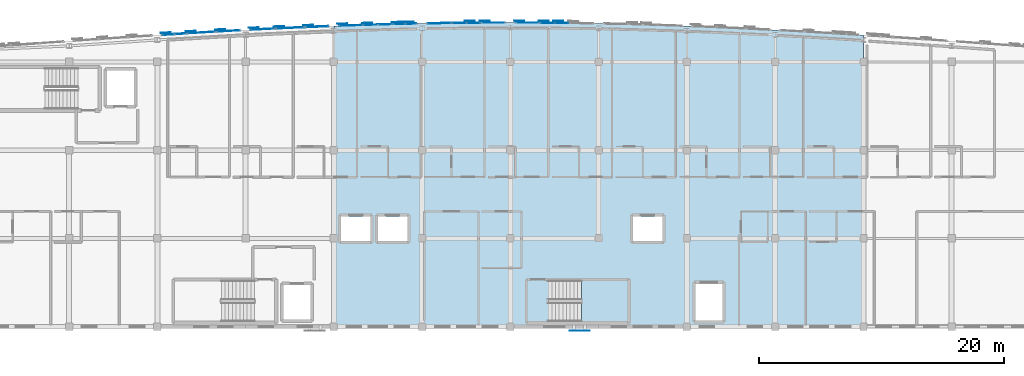
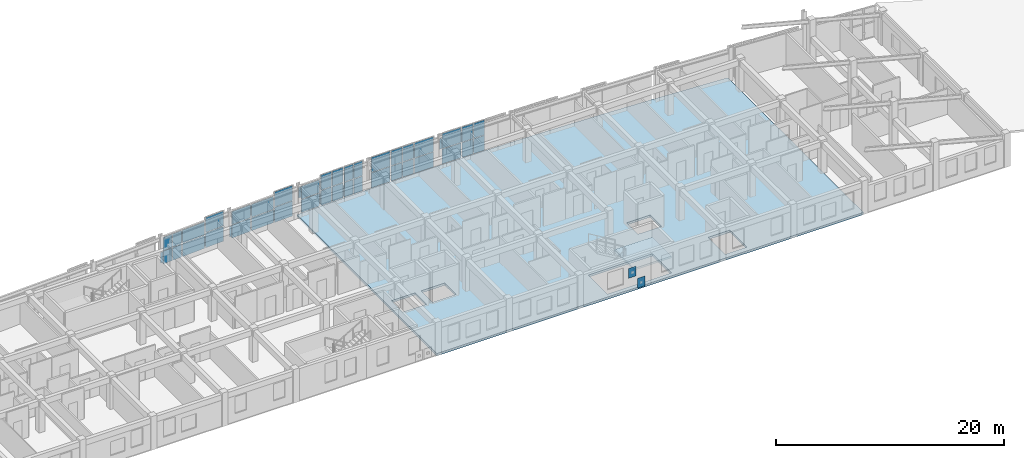
# One storey, part 27 of 41: 55 plates, 2 slabs, 15 elements without a shape of their own.
"""IFC4 building model written with IfcOpenShell, lengths in metres."""

from ifc_helpers import new_model, si_unit, direction, frame, origin, origin_2d, place, context, subcontext, project, spatial, polyline, rectangle, outline, extrude, material, layer, layer_set, type_object, element, aggregate, save


model = new_model("IFC4")

# Units and contexts
model_context = context("Model", 3, precision=1e-05, world=origin(), true_north=direction((0.0, 1.0)))
body_context = subcontext(model_context, "Body", "Model", "MODEL_VIEW")
ifc_project = project(units=[si_unit("LENGTHUNIT", "METRE"), si_unit("AREAUNIT", "SQUARE_METRE"), si_unit("VOLUMEUNIT", "CUBIC_METRE"), si_unit("PLANEANGLEUNIT", "RADIAN"), si_unit("MASSUNIT", "GRAM", prefix="KILO")], contexts=[model_context])

# Site, building, storey
site_placement = place(None, origin())
site = spatial("IfcSite", under=ifc_project, at=site_placement, CompositionType="ELEMENT")
building_placement = place(site_placement, origin())
building = spatial("IfcBuilding", under=site, at=building_placement, Name="Carrowvane Square Congress Hotel", CompositionType="ELEMENT")
storey_placement = place(building_placement, frame((0.0, 0.0, 37.199951171875)))
storey = spatial("IfcBuildingStorey", under=building, at=storey_placement, Name="L09", CompositionType="ELEMENT", Elevation=37.199951171875)

# Curtain wall, plates
ifc_material_1 = material(Name="Anodised aluminium", Category="aluminium")
ifc_layer_1 = layer(ifc_material_1, 0.162109375)
ifc_layer_set_1 = layer_set([ifc_layer_1], Name="Anodised aluminium")
curtain_wall_type_1 = type_object("IfcCurtainWallType", Name="CW-SYS-1", PredefinedType="NOTDEFINED", material=ifc_layer_set_1)
curtain_wall_1_placement = place(storey_placement, origin())
curtain_wall_1 = element("IfcCurtainWall", 1, at=curtain_wall_1_placement, inside=storey, type_object=curtain_wall_type_1, Name="L09 unitised curtain wall 520", PredefinedType="NOTDEFINED")
ifc_material_2 = material(Name="Double-glazed low-E glass", Category="glass")
ifc_layer_2 = layer(ifc_material_2, 0.028076171875)
ifc_layer_set_2 = layer_set([ifc_layer_2], Name="Double-glazed low-E glass")
plate_type_1 = type_object("IfcPlateType", Name="CW-PAN-1", PredefinedType="CURTAIN_PANEL", material=ifc_layer_set_2)
plate_1_placement = place(storey_placement, frame((72.800048828125, 115.795166015625, 0.06005859375), z_axis=(0.0, 0.0, 1.0), x_axis=(0.998266763162, 0.058851249486, 0.0)))
plate_1 = element("IfcPlate", 2, at=plate_1_placement, type_object=plate_type_1, Name="CW-1 panel 1.1", PredefinedType="CURTAIN_PANEL", context=body_context, shape_type="SweptSolid", body=[
    extrude(rectangle(XDim=2.2841796875, YDim=0.028076171875, at=origin_2d()), origin(), (0.0, 0.0, 1.0), 1.3876953125),
])
plate_2_placement = place(storey_placement, frame((72.800048828125, 115.795166015625, 1.5078125), z_axis=(0.0, 0.0, 1.0), x_axis=(0.998266763162, 0.058851249486, 0.0)))
plate_2 = element("IfcPlate", 3, at=plate_2_placement, type_object=plate_type_1, Name="CW-1 panel 1.2", PredefinedType="CURTAIN_PANEL", context=body_context, shape_type="SweptSolid", body=[
    extrude(rectangle(XDim=2.2841796875, YDim=0.028076171875, at=origin_2d()), origin(), (0.0, 0.0, 1.0), 1.3876953125),
])
aggregate(curtain_wall_1, [plate_1, plate_2])

ifc_material_3 = material(Name="Anodised aluminium", Category="aluminium")
ifc_layer_3 = layer(ifc_material_3, 0.221923828125)
ifc_layer_set_3 = layer_set([ifc_layer_3], Name="Anodised aluminium")
curtain_wall_type_2 = type_object("IfcCurtainWallType", Name="CW-SYS-6", PredefinedType="NOTDEFINED", material=ifc_layer_set_3)
curtain_wall_2_placement = place(storey_placement, origin())
curtain_wall_2 = element("IfcCurtainWall", 4, at=curtain_wall_2_placement, inside=storey, type_object=curtain_wall_type_2, Name="L09 unitised curtain wall 525", PredefinedType="NOTDEFINED")
plate_3_placement = place(storey_placement, frame((84.9853515625, 116.371826171875, 0.06982421875), z_axis=(0.0, 0.0, 1.0), x_axis=(0.999403774749, 0.034526729036, 0.0)))
plate_3 = element("IfcPlate", 5, at=plate_3_placement, type_object=plate_type_1, Name="CW-6 panel 1.1", PredefinedType="CURTAIN_PANEL", context=body_context, shape_type="SweptSolid", body=[
    extrude(rectangle(XDim=1.890625, YDim=0.028076171875, at=origin_2d()), origin(), (0.0, 0.0, 1.0), 1.372802734375),
])
plate_4_placement = place(storey_placement, frame((84.9853515625, 116.371826171875, 1.5126953125), z_axis=(0.0, 0.0, 1.0), x_axis=(0.999403774749, 0.034526729036, 0.0)))
plate_4 = element("IfcPlate", 6, at=plate_4_placement, type_object=plate_type_1, Name="CW-6 panel 1.2", PredefinedType="CURTAIN_PANEL", context=body_context, shape_type="SweptSolid", body=[
    extrude(rectangle(XDim=1.890625, YDim=0.028076171875, at=origin_2d()), origin(), (0.0, 0.0, 1.0), 1.372802734375),
])
aggregate(curtain_wall_2, [plate_3, plate_4])

ifc_material_4 = material(Name="Anodised aluminium", Category="aluminium")
ifc_layer_4 = layer(ifc_material_4, 0.18603515625)
ifc_layer_set_4 = layer_set([ifc_layer_4], Name="Anodised aluminium")
curtain_wall_type_3 = type_object("IfcCurtainWallType", Name="CW-SYS-3", PredefinedType="NOTDEFINED", material=ifc_layer_set_4)
curtain_wall_3_placement = place(storey_placement, origin())
curtain_wall_3 = element("IfcCurtainWall", 7, at=curtain_wall_3_placement, inside=storey, type_object=curtain_wall_type_3, Name="L09 unitised curtain wall 530", PredefinedType="NOTDEFINED")
plate_5_placement = place(storey_placement, frame((96.607666015625, 116.595458984375, 0.06005859375), z_axis=(0.0, 0.0, 1.0), x_axis=(0.999994652529, 0.003270307911, 0.0)))
plate_5 = element("IfcPlate", 8, at=plate_5_placement, type_object=plate_type_1, Name="CW-3 panel 1.1", PredefinedType="CURTAIN_PANEL", context=body_context, shape_type="SweptSolid", body=[
    extrude(rectangle(XDim=1.89501953125, YDim=0.028076171875, at=origin_2d()), origin(), (0.0, 0.0, 1.0), 1.60009765625),
])
plate_6_placement = place(storey_placement, frame((96.607666015625, 116.595458984375, 1.719970703125), z_axis=(0.0, 0.0, 1.0), x_axis=(0.999994652529, 0.003270307911, 0.0)))
plate_6 = element("IfcPlate", 9, at=plate_6_placement, type_object=plate_type_1, Name="CW-3 panel 1.2", PredefinedType="CURTAIN_PANEL", context=body_context, shape_type="SweptSolid", body=[
    extrude(rectangle(XDim=1.89501953125, YDim=0.028076171875, at=origin_2d()), origin(), (0.0, 0.0, 1.0), 1.60009765625),
])
aggregate(curtain_wall_3, [plate_5, plate_6])

ifc_material_5 = material(Name="Anodised aluminium", Category="aluminium")
ifc_layer_5 = layer(ifc_material_5, 0.174072265625)
ifc_layer_set_5 = layer_set([ifc_layer_5], Name="Anodised aluminium")
curtain_wall_type_4 = type_object("IfcCurtainWallType", Name="CW-SYS-2", PredefinedType="NOTDEFINED", material=ifc_layer_set_5)
curtain_wall_4_placement = place(storey_placement, origin())
curtain_wall_4 = element("IfcCurtainWall", 10, at=curtain_wall_4_placement, inside=storey, type_object=curtain_wall_type_4, Name="L09 unitised curtain wall 521", PredefinedType="NOTDEFINED")
ifc_material_6 = material(Name="Double-glazed low-E glass", Category="glass")
ifc_layer_6 = layer(ifc_material_6, 0.031982421875)
ifc_layer_set_6 = layer_set([ifc_layer_6], Name="Double-glazed low-E glass")
plate_type_2 = type_object("IfcPlateType", Name="CW-PAN-2", PredefinedType="CURTAIN_PANEL", material=ifc_layer_set_6)
plate_7_placement = place(storey_placement, frame((74.997802734375, 115.920654296875, 0.070068359375), z_axis=(0.0, 0.0, 1.0), x_axis=(0.998496473856, 0.054815980317, 0.0)))
plate_7 = element("IfcPlate", 11, at=plate_7_placement, type_object=plate_type_2, Name="CW-2 panel 1.1", PredefinedType="CURTAIN_PANEL", context=body_context, shape_type="SweptSolid", body=[
    extrude(rectangle(XDim=1.8583984375, YDim=0.031982421875, at=origin_2d()), origin(), (0.0, 0.0, 1.0), 1.5849609375),
])
plate_8_placement = place(storey_placement, frame((74.997802734375, 115.920654296875, 1.72509765625), z_axis=(0.0, 0.0, 1.0), x_axis=(0.998496473856, 0.054815980317, 0.0)))
plate_8 = element("IfcPlate", 12, at=plate_8_placement, type_object=plate_type_2, Name="CW-2 panel 1.2", PredefinedType="CURTAIN_PANEL", context=body_context, shape_type="SweptSolid", body=[
    extrude(rectangle(XDim=1.8583984375, YDim=0.031982421875, at=origin_2d()), origin(), (0.0, 0.0, 1.0), 1.5849609375),
])
aggregate(curtain_wall_4, [plate_7, plate_8])

ifc_material_7 = material(Name="Anodised aluminium", Category="aluminium")
ifc_layer_7 = layer(ifc_material_7, 0.23388671875)
ifc_layer_set_7 = layer_set([ifc_layer_7], Name="Anodised aluminium")
curtain_wall_type_5 = type_object("IfcCurtainWallType", Name="CW-SYS-7", PredefinedType="NOTDEFINED", material=ifc_layer_set_7)
curtain_wall_5_placement = place(storey_placement, origin())
curtain_wall_5 = element("IfcCurtainWall", 13, at=curtain_wall_5_placement, inside=storey, type_object=curtain_wall_type_5, Name="L09 unitised curtain wall 526", PredefinedType="NOTDEFINED")
plate_9_placement = place(storey_placement, frame((86.614990234375, 116.424560546875, 0.06005859375), z_axis=(0.0, 0.0, 1.0), x_axis=(0.999589848065, 0.028638010501, 0.0)))
plate_9 = element("IfcPlate", 14, at=plate_9_placement, type_object=plate_type_2, Name="CW-7 panel 1.1", PredefinedType="CURTAIN_PANEL", context=body_context, shape_type="SweptSolid", body=[
    extrude(rectangle(XDim=1.110595703125, YDim=0.031982421875, at=origin_2d()), origin(), (0.0, 0.0, 1.0), 1.60009765625),
])
plate_10_placement = place(storey_placement, frame((86.614990234375, 116.424560546875, 1.719970703125), z_axis=(0.0, 0.0, 1.0), x_axis=(0.999589848065, 0.028638010501, 0.0)))
plate_10 = element("IfcPlate", 15, at=plate_10_placement, type_object=plate_type_2, Name="CW-7 panel 1.2", PredefinedType="CURTAIN_PANEL", context=body_context, shape_type="SweptSolid", body=[
    extrude(rectangle(XDim=1.110595703125, YDim=0.031982421875, at=origin_2d()), origin(), (0.0, 0.0, 1.0), 1.60009765625),
])
plate_11_placement = place(storey_placement, frame((87.784912109375, 116.4580078125, 0.06005859375), z_axis=(0.0, 0.0, 1.0), x_axis=(0.999589848065, 0.028638010501, 0.0)))
plate_11 = element("IfcPlate", 16, at=plate_11_placement, type_object=plate_type_2, Name="CW-7 panel 2.1", PredefinedType="CURTAIN_PANEL", context=body_context, shape_type="SweptSolid", body=[
    extrude(rectangle(XDim=1.110595703125, YDim=0.031982421875, at=origin_2d()), origin(), (0.0, 0.0, 1.0), 1.60009765625),
])
plate_12_placement = place(storey_placement, frame((87.784912109375, 116.4580078125, 1.719970703125), z_axis=(0.0, 0.0, 1.0), x_axis=(0.999589848065, 0.028638010501, 0.0)))
plate_12 = element("IfcPlate", 17, at=plate_12_placement, type_object=plate_type_2, Name="CW-7 panel 2.2", PredefinedType="CURTAIN_PANEL", context=body_context, shape_type="SweptSolid", body=[
    extrude(rectangle(XDim=1.110595703125, YDim=0.031982421875, at=origin_2d()), origin(), (0.0, 0.0, 1.0), 1.60009765625),
])
aggregate(curtain_wall_5, [plate_9, plate_10, plate_11, plate_12])

ifc_material_8 = material(Name="Anodised aluminium", Category="aluminium")
ifc_layer_8 = layer(ifc_material_8, 0.197998046875)
ifc_layer_set_8 = layer_set([ifc_layer_8], Name="Anodised aluminium")
curtain_wall_type_6 = type_object("IfcCurtainWallType", Name="CW-SYS-4", PredefinedType="NOTDEFINED", material=ifc_layer_set_8)
curtain_wall_6_placement = place(storey_placement, origin())
curtain_wall_6 = element("IfcCurtainWall", 18, at=curtain_wall_6_placement, inside=storey, type_object=curtain_wall_type_6, Name="L09 unitised curtain wall 531", PredefinedType="NOTDEFINED")
plate_13_placement = place(storey_placement, frame((99.392333984375, 116.595458984375, 0.070068359375), z_axis=(0.0, 0.0, 1.0), x_axis=(0.999994652529, -0.003270307911, 0.0)))
plate_13 = element("IfcPlate", 19, at=plate_13_placement, type_object=plate_type_2, Name="CW-4 panel 1.1", PredefinedType="CURTAIN_PANEL", context=body_context, shape_type="SweptSolid", body=[
    extrude(rectangle(XDim=1.875, YDim=0.031982421875, at=origin_2d()), origin(), (0.0, 0.0, 1.0), 1.5849609375),
])
plate_14_placement = place(storey_placement, frame((99.392333984375, 116.595458984375, 1.72509765625), z_axis=(0.0, 0.0, 1.0), x_axis=(0.999994652529, -0.003270307911, 0.0)))
plate_14 = element("IfcPlate", 20, at=plate_14_placement, type_object=plate_type_2, Name="CW-4 panel 1.2", PredefinedType="CURTAIN_PANEL", context=body_context, shape_type="SweptSolid", body=[
    extrude(rectangle(XDim=1.875, YDim=0.031982421875, at=origin_2d()), origin(), (0.0, 0.0, 1.0), 1.5849609375),
])
aggregate(curtain_wall_6, [plate_13, plate_14])

curtain_wall_7_placement = place(storey_placement, origin())
curtain_wall_7 = element("IfcCurtainWall", 21, at=curtain_wall_7_placement, inside=storey, type_object=curtain_wall_type_3, Name="L09 unitised curtain wall 522", PredefinedType="NOTDEFINED")
ifc_material_9 = material(Name="Double-glazed low-E glass", Category="glass")
ifc_layer_9 = layer(ifc_material_9, 0.035888671875)
ifc_layer_set_9 = layer_set([ifc_layer_9], Name="Double-glazed low-E glass")
plate_type_3 = type_object("IfcPlateType", Name="CW-PAN-3", PredefinedType="CURTAIN_PANEL", material=ifc_layer_set_9)
plate_15_placement = place(storey_placement, frame((77.7822265625, 116.067138671875, 0.06005859375), z_axis=(0.0, 0.0, 1.0), x_axis=(0.998732955299, 0.050323791596, 0.0)))
plate_15 = element("IfcPlate", 22, at=plate_15_placement, type_object=plate_type_3, Name="CW-3 panel 1.1", PredefinedType="CURTAIN_PANEL", context=body_context, shape_type="SweptSolid", body=[
    extrude(rectangle(XDim=1.91796875, YDim=0.035888671875, at=origin_2d()), origin(), (0.0, 0.0, 1.0), 1.3876953125),
])
plate_16_placement = place(storey_placement, frame((77.7822265625, 116.067138671875, 1.5078125), z_axis=(0.0, 0.0, 1.0), x_axis=(0.998732955299, 0.050323791596, 0.0)))
plate_16 = element("IfcPlate", 23, at=plate_16_placement, type_object=plate_type_3, Name="CW-3 panel 1.2", PredefinedType="CURTAIN_PANEL", context=body_context, shape_type="SweptSolid", body=[
    extrude(rectangle(XDim=1.91796875, YDim=0.035888671875, at=origin_2d()), origin(), (0.0, 0.0, 1.0), 1.3876953125),
])
aggregate(curtain_wall_7, [plate_15, plate_16])

ifc_material_10 = material(Name="Anodised aluminium", Category="aluminium")
ifc_layer_10 = layer(ifc_material_10, 0.24609375)
ifc_layer_set_10 = layer_set([ifc_layer_10], Name="Anodised aluminium")
curtain_wall_type_7 = type_object("IfcCurtainWallType", Name="CW-SYS-8", PredefinedType="NOTDEFINED", material=ifc_layer_set_10)
curtain_wall_8_placement = place(storey_placement, origin())
curtain_wall_8 = element("IfcCurtainWall", 24, at=curtain_wall_8_placement, inside=storey, type_object=curtain_wall_type_7, Name="L09 unitised curtain wall 527", PredefinedType="NOTDEFINED")
plate_17_placement = place(storey_placement, frame((88.91943359375, 116.4873046875, 0.070068359375), z_axis=(0.0, 0.0, 1.0), x_axis=(0.99974644475, 0.022517686606, 0.0)))
plate_17 = element("IfcPlate", 25, at=plate_17_placement, type_object=plate_type_3, Name="CW-8 panel 1.1", PredefinedType="CURTAIN_PANEL", context=body_context, shape_type="SweptSolid", body=[
    extrude(rectangle(XDim=0.899169921875, YDim=0.035888671875, at=origin_2d()), origin(), (0.0, 0.0, 1.0), 1.5849609375),
])
plate_18_placement = place(storey_placement, frame((88.91943359375, 116.4873046875, 1.72509765625), z_axis=(0.0, 0.0, 1.0), x_axis=(0.99974644475, 0.022517686606, 0.0)))
plate_18 = element("IfcPlate", 26, at=plate_18_placement, type_object=plate_type_3, Name="CW-8 panel 1.2", PredefinedType="CURTAIN_PANEL", context=body_context, shape_type="SweptSolid", body=[
    extrude(rectangle(XDim=0.899169921875, YDim=0.035888671875, at=origin_2d()), origin(), (0.0, 0.0, 1.0), 1.5849609375),
])
plate_19_placement = place(storey_placement, frame((89.88818359375, 116.50927734375, 0.070068359375), z_axis=(0.0, 0.0, 1.0), x_axis=(0.99974644475, 0.022517686606, 0.0)))
plate_19 = element("IfcPlate", 27, at=plate_19_placement, type_object=plate_type_3, Name="CW-8 panel 2.1", PredefinedType="CURTAIN_PANEL", context=body_context, shape_type="SweptSolid", body=[
    extrude(rectangle(XDim=0.899169921875, YDim=0.035888671875, at=origin_2d()), origin(), (0.0, 0.0, 1.0), 1.5849609375),
])
plate_20_placement = place(storey_placement, frame((89.88818359375, 116.50927734375, 1.72509765625), z_axis=(0.0, 0.0, 1.0), x_axis=(0.99974644475, 0.022517686606, 0.0)))
plate_20 = element("IfcPlate", 28, at=plate_20_placement, type_object=plate_type_3, Name="CW-8 panel 2.2", PredefinedType="CURTAIN_PANEL", context=body_context, shape_type="SweptSolid", body=[
    extrude(rectangle(XDim=0.899169921875, YDim=0.035888671875, at=origin_2d()), origin(), (0.0, 0.0, 1.0), 1.5849609375),
])
aggregate(curtain_wall_8, [plate_17, plate_18, plate_19, plate_20])

ifc_material_11 = material(Name="Anodised aluminium", Category="aluminium")
ifc_layer_11 = layer(ifc_material_11, 0.2099609375)
ifc_layer_set_11 = layer_set([ifc_layer_11], Name="Anodised aluminium")
curtain_wall_type_8 = type_object("IfcCurtainWallType", Name="CW-SYS-5", PredefinedType="NOTDEFINED", material=ifc_layer_set_11)
curtain_wall_9_placement = place(storey_placement, origin())
curtain_wall_9 = element("IfcCurtainWall", 29, at=curtain_wall_9_placement, inside=storey, type_object=curtain_wall_type_8, Name="L09 unitised curtain wall 532", PredefinedType="NOTDEFINED")
plate_21_placement = place(storey_placement, frame((101.014892578125, 116.586181640625, 0.06005859375), z_axis=(0.0, 0.0, 1.0), x_axis=(0.999952146231, -0.009782905924, 0.0)))
plate_21 = element("IfcPlate", 30, at=plate_21_placement, type_object=plate_type_3, Name="CW-5 panel 1.1", PredefinedType="CURTAIN_PANEL", context=body_context, shape_type="SweptSolid", body=[
    extrude(rectangle(XDim=1.110107421875, YDim=0.035888671875, at=origin_2d()), origin(), (0.0, 0.0, 1.0), 1.60009765625),
])
plate_22_placement = place(storey_placement, frame((101.014892578125, 116.586181640625, 1.719970703125), z_axis=(0.0, 0.0, 1.0), x_axis=(0.999952146231, -0.009782905924, 0.0)))
plate_22 = element("IfcPlate", 31, at=plate_22_placement, type_object=plate_type_3, Name="CW-5 panel 1.2", PredefinedType="CURTAIN_PANEL", context=body_context, shape_type="SweptSolid", body=[
    extrude(rectangle(XDim=1.110107421875, YDim=0.035888671875, at=origin_2d()), origin(), (0.0, 0.0, 1.0), 1.60009765625),
])
plate_23_placement = place(storey_placement, frame((102.18505859375, 116.57470703125, 0.06005859375), z_axis=(0.0, 0.0, 1.0), x_axis=(0.999952146231, -0.009782905924, 0.0)))
plate_23 = element("IfcPlate", 32, at=plate_23_placement, type_object=plate_type_3, Name="CW-5 panel 2.1", PredefinedType="CURTAIN_PANEL", context=body_context, shape_type="SweptSolid", body=[
    extrude(rectangle(XDim=1.110107421875, YDim=0.035888671875, at=origin_2d()), origin(), (0.0, 0.0, 1.0), 1.60009765625),
])
plate_24_placement = place(storey_placement, frame((102.18505859375, 116.57470703125, 1.719970703125), z_axis=(0.0, 0.0, 1.0), x_axis=(0.999952146231, -0.009782905924, 0.0)))
plate_24 = element("IfcPlate", 33, at=plate_24_placement, type_object=plate_type_3, Name="CW-5 panel 2.2", PredefinedType="CURTAIN_PANEL", context=body_context, shape_type="SweptSolid", body=[
    extrude(rectangle(XDim=1.110107421875, YDim=0.035888671875, at=origin_2d()), origin(), (0.0, 0.0, 1.0), 1.60009765625),
])
aggregate(curtain_wall_9, [plate_21, plate_22, plate_23, plate_24])

curtain_wall_10_placement = place(storey_placement, origin())
curtain_wall_10 = element("IfcCurtainWall", 34, at=curtain_wall_10_placement, inside=storey, type_object=curtain_wall_type_6, Name="L09 unitised curtain wall 523", PredefinedType="NOTDEFINED")
ifc_material_12 = material(Name="Double-glazed low-E glass", Category="glass")
ifc_layer_12 = layer(ifc_material_12, 0.0419921875)
ifc_layer_set_12 = layer_set([ifc_layer_12], Name="Double-glazed low-E glass")
plate_type_4 = type_object("IfcPlateType", Name="CW-PAN-4", PredefinedType="CURTAIN_PANEL", material=ifc_layer_set_12)
plate_25_placement = place(storey_placement, frame((80.0, 116.173095703125, 0.06982421875), z_axis=(0.0, 0.0, 1.0), x_axis=(0.998968385726, 0.045411059449, 0.0)))
plate_25 = element("IfcPlate", 35, at=plate_25_placement, type_object=plate_type_4, Name="CW-4 panel 1.1", PredefinedType="CURTAIN_PANEL", context=body_context, shape_type="SweptSolid", body=[
    extrude(rectangle(XDim=2.262451171875, YDim=0.0419921875, at=origin_2d()), origin(), (0.0, 0.0, 1.0), 1.372802734375),
])
plate_26_placement = place(storey_placement, frame((80.0, 116.173095703125, 1.5126953125), z_axis=(0.0, 0.0, 1.0), x_axis=(0.998968385726, 0.045411059449, 0.0)))
plate_26 = element("IfcPlate", 36, at=plate_26_placement, type_object=plate_type_4, Name="CW-4 panel 1.2", PredefinedType="CURTAIN_PANEL", context=body_context, shape_type="SweptSolid", body=[
    extrude(rectangle(XDim=2.262451171875, YDim=0.0419921875, at=origin_2d()), origin(), (0.0, 0.0, 1.0), 1.372802734375),
])
aggregate(curtain_wall_10, [plate_25, plate_26])

curtain_wall_11_placement = place(storey_placement, origin())
curtain_wall_11 = element("IfcCurtainWall", 37, at=curtain_wall_11_placement, inside=storey, type_object=curtain_wall_type_1, Name="L09 unitised curtain wall 528", PredefinedType="NOTDEFINED")
plate_27_placement = place(storey_placement, frame((92.188720703125, 116.55224609375, 0.06005859375), z_axis=(0.0, 0.0, 1.0), x_axis=(0.99986851233, 0.016215981364, 0.0)))
plate_27 = element("IfcPlate", 38, at=plate_27_placement, type_object=plate_type_4, Name="CW-1 panel 1.1", PredefinedType="CURTAIN_PANEL", context=body_context, shape_type="SweptSolid", body=[
    extrude(rectangle(XDim=1.902587890625, YDim=0.0419921875, at=origin_2d()), origin(), (0.0, 0.0, 1.0), 1.60009765625),
])
plate_28_placement = place(storey_placement, frame((92.188720703125, 116.55224609375, 1.719970703125), z_axis=(0.0, 0.0, 1.0), x_axis=(0.99986851233, 0.016215981364, 0.0)))
plate_28 = element("IfcPlate", 39, at=plate_28_placement, type_object=plate_type_4, Name="CW-1 panel 1.2", PredefinedType="CURTAIN_PANEL", context=body_context, shape_type="SweptSolid", body=[
    extrude(rectangle(XDim=1.902587890625, YDim=0.0419921875, at=origin_2d()), origin(), (0.0, 0.0, 1.0), 1.60009765625),
])
aggregate(curtain_wall_11, [plate_27, plate_28])

curtain_wall_12_placement = place(storey_placement, origin())
curtain_wall_12 = element("IfcCurtainWall", 40, at=curtain_wall_12_placement, inside=storey, type_object=curtain_wall_type_7, Name="L09 unitised curtain wall 519", PredefinedType="NOTDEFINED")
ifc_material_13 = material(Name="Double-glazed low-E glass", Category="glass")
ifc_layer_13 = layer(ifc_material_13, 0.048095703125)
ifc_layer_set_13 = layer_set([ifc_layer_13], Name="Double-glazed low-E glass")
plate_type_5 = type_object("IfcPlateType", Name="CW-PAN-5", PredefinedType="CURTAIN_PANEL", material=ifc_layer_set_13)
plate_29_placement = place(storey_placement, frame((70.08740234375, 115.6298828125, 0.06982421875), z_axis=(0.0, 0.0, 1.0), x_axis=(0.998051378998, 0.062397474952, 0.0)))
plate_29 = element("IfcPlate", 41, at=plate_29_placement, type_object=plate_type_5, Name="CW-8 panel 1.1", PredefinedType="CURTAIN_PANEL", context=body_context, shape_type="SweptSolid", body=[
    extrude(rectangle(XDim=0.9169921875, YDim=0.048095703125, at=origin_2d()), origin(), (0.0, 0.0, 1.0), 1.372802734375),
])
plate_30_placement = place(storey_placement, frame((70.08740234375, 115.6298828125, 1.5126953125), z_axis=(0.0, 0.0, 1.0), x_axis=(0.998051378998, 0.062397474952, 0.0)))
plate_30 = element("IfcPlate", 42, at=plate_30_placement, type_object=plate_type_5, Name="CW-8 panel 1.2", PredefinedType="CURTAIN_PANEL", context=body_context, shape_type="SweptSolid", body=[
    extrude(rectangle(XDim=0.9169921875, YDim=0.048095703125, at=origin_2d()), origin(), (0.0, 0.0, 1.0), 1.372802734375),
])
plate_31_placement = place(storey_placement, frame((71.072509765625, 115.69140625, 0.06982421875), z_axis=(0.0, 0.0, 1.0), x_axis=(0.998051378998, 0.062397474952, 0.0)))
plate_31 = element("IfcPlate", 43, at=plate_31_placement, type_object=plate_type_5, Name="CW-8 panel 2.1", PredefinedType="CURTAIN_PANEL", context=body_context, shape_type="SweptSolid", body=[
    extrude(rectangle(XDim=0.9169921875, YDim=0.048095703125, at=origin_2d()), origin(), (0.0, 0.0, 1.0), 1.372802734375),
])
plate_32_placement = place(storey_placement, frame((71.072509765625, 115.69140625, 1.5126953125), z_axis=(0.0, 0.0, 1.0), x_axis=(0.998051378998, 0.062397474952, 0.0)))
plate_32 = element("IfcPlate", 44, at=plate_32_placement, type_object=plate_type_5, Name="CW-8 panel 2.2", PredefinedType="CURTAIN_PANEL", context=body_context, shape_type="SweptSolid", body=[
    extrude(rectangle(XDim=0.9169921875, YDim=0.048095703125, at=origin_2d()), origin(), (0.0, 0.0, 1.0), 1.372802734375),
])
aggregate(curtain_wall_12, [plate_29, plate_30, plate_31, plate_32])

curtain_wall_13_placement = place(storey_placement, origin())
curtain_wall_13 = element("IfcCurtainWall", 45, at=curtain_wall_13_placement, inside=storey, type_object=curtain_wall_type_8, Name="L09 unitised curtain wall 524", PredefinedType="NOTDEFINED")
plate_33_placement = place(storey_placement, frame((82.200439453125, 116.267822265625, 0.06005859375), z_axis=(0.0, 0.0, 1.0), x_axis=(0.999194236464, 0.040135742379, 0.0)))
plate_33 = element("IfcPlate", 46, at=plate_33_placement, type_object=plate_type_5, Name="CW-5 panel 1.1", PredefinedType="CURTAIN_PANEL", context=body_context, shape_type="SweptSolid", body=[
    extrude(rectangle(XDim=1.8828125, YDim=0.048095703125, at=origin_2d()), origin(), (0.0, 0.0, 1.0), 1.60009765625),
])
plate_34_placement = place(storey_placement, frame((82.200439453125, 116.267822265625, 1.719970703125), z_axis=(0.0, 0.0, 1.0), x_axis=(0.999194236464, 0.040135742379, 0.0)))
plate_34 = element("IfcPlate", 47, at=plate_34_placement, type_object=plate_type_5, Name="CW-5 panel 1.2", PredefinedType="CURTAIN_PANEL", context=body_context, shape_type="SweptSolid", body=[
    extrude(rectangle(XDim=1.8828125, YDim=0.048095703125, at=origin_2d()), origin(), (0.0, 0.0, 1.0), 1.60009765625),
])
aggregate(curtain_wall_13, [plate_33, plate_34])

curtain_wall_14_placement = place(storey_placement, origin())
curtain_wall_14 = element("IfcCurtainWall", 48, at=curtain_wall_14_placement, inside=storey, type_object=curtain_wall_type_4, Name="L09 unitised curtain wall 529", PredefinedType="NOTDEFINED")
plate_35_placement = place(storey_placement, frame((93.8173828125, 116.57470703125, 0.070068359375), z_axis=(0.0, 0.0, 1.0), x_axis=(0.999952146231, 0.009782905924, 0.0)))
plate_35 = element("IfcPlate", 49, at=plate_35_placement, type_object=plate_type_5, Name="CW-2 panel 1.1", PredefinedType="CURTAIN_PANEL", context=body_context, shape_type="SweptSolid", body=[
    extrude(rectangle(XDim=1.094970703125, YDim=0.048095703125, at=origin_2d()), origin(), (0.0, 0.0, 1.0), 1.5849609375),
])
plate_36_placement = place(storey_placement, frame((93.8173828125, 116.57470703125, 1.72509765625), z_axis=(0.0, 0.0, 1.0), x_axis=(0.999952146231, 0.009782905924, 0.0)))
plate_36 = element("IfcPlate", 50, at=plate_36_placement, type_object=plate_type_5, Name="CW-2 panel 1.2", PredefinedType="CURTAIN_PANEL", context=body_context, shape_type="SweptSolid", body=[
    extrude(rectangle(XDim=1.094970703125, YDim=0.048095703125, at=origin_2d()), origin(), (0.0, 0.0, 1.0), 1.5849609375),
])
plate_37_placement = place(storey_placement, frame((94.982421875, 116.586181640625, 0.070068359375), z_axis=(0.0, 0.0, 1.0), x_axis=(0.999952146231, 0.009782905924, 0.0)))
plate_37 = element("IfcPlate", 51, at=plate_37_placement, type_object=plate_type_5, Name="CW-2 panel 2.1", PredefinedType="CURTAIN_PANEL", context=body_context, shape_type="SweptSolid", body=[
    extrude(rectangle(XDim=1.094970703125, YDim=0.048095703125, at=origin_2d()), origin(), (0.0, 0.0, 1.0), 1.5849609375),
])
plate_38_placement = place(storey_placement, frame((94.982421875, 116.586181640625, 1.72509765625), z_axis=(0.0, 0.0, 1.0), x_axis=(0.999952146231, 0.009782905924, 0.0)))
plate_38 = element("IfcPlate", 52, at=plate_38_placement, type_object=plate_type_5, Name="CW-2 panel 2.2", PredefinedType="CURTAIN_PANEL", context=body_context, shape_type="SweptSolid", body=[
    extrude(rectangle(XDim=1.094970703125, YDim=0.048095703125, at=origin_2d()), origin(), (0.0, 0.0, 1.0), 1.5849609375),
])
aggregate(curtain_wall_14, [plate_35, plate_36, plate_37, plate_38])

# Plates
ifc_material_14 = material(Name="Champagne-gold anodised aluminium", Category="aluminium")
ifc_layer_14 = layer(ifc_material_14, 0.011962890625)
ifc_layer_set_14 = layer_set([ifc_layer_14], Name="Champagne-gold anodised aluminium")
plate_type_6 = type_object("IfcPlateType", Name="PLT-PIX-GOLD12", PredefinedType="SHEET", material=ifc_layer_set_14)
for number, where, z_axis, x_axis, name in (
    (53, (69.873779296875, 115.78271484375, 0.119873046875), (0.0, 0.0, 1.0), (0.998051413269, 0.062396926785, 0.0), "Champagne-gold pixel screen plate 881"),
    (54, (74.315185546875, 116.04931640625, 0.119873046875), (0.0, 0.0, 1.0), (0.998496552462, 0.054814548441, 0.0), "Champagne-gold pixel screen plate 883"),
    (55, (79.116943359375, 116.299072265625, 1.590087890625), (0.0, 0.0, 1.0), (0.998968255262, 0.045413929349, 0.0), "Champagne-gold pixel screen plate 885"),
    (56, (84.28955078125, 116.513916015625, 1.590087890625), (0.0, 0.0, 1.0), (0.999403768784, 0.034526901703, 0.0), "Champagne-gold pixel screen plate 887"),
    (57, (88.720947265625, 116.64892578125, 0.119873046875), (0.0, 0.0, 1.0), (0.999746418061, 0.022518871507, 0.0), "Champagne-gold pixel screen plate 889"),
    (58, (89.68994140625, 116.6708984375, 1.590087890625), (0.0, 0.0, 1.0), (0.999746418061, 0.022518871507, 0.0), "Champagne-gold pixel screen plate 890"),
    (59, (94.688232421875, 116.749267578125, 0.119873046875), (0.0, 0.0, 1.0), (0.999952150705, 0.009782448565, 0.0), "Champagne-gold pixel screen plate 891"),
    (60, (98.710205078125, 116.763671875, 1.590087890625), (0.0, 0.0, 1.0), (0.999994654955, -0.003269565853, 0.0), "Champagne-gold pixel screen plate 893"),
):
    element("IfcPlate", number, at=place(storey_placement, frame(where, z_axis=z_axis, x_axis=x_axis)), inside=storey, type_object=plate_type_6, Name=name, PredefinedType="SHEET", context=body_context, shape_type="SweptSolid", body=[
        extrude(rectangle(XDim=0.827880859375, YDim=0.011962890625, at=origin_2d()), origin(), (0.0, 0.0, 1.0), 1.1201171875),
    ])
ifc_material_15 = material(Name="Champagne-gold anodised aluminium", Category="aluminium")
ifc_layer_15 = layer(ifc_material_15, 0.008056640625)
ifc_layer_set_15 = layer_set([ifc_layer_15], Name="Champagne-gold anodised aluminium")
plate_type_7 = type_object("IfcPlateType", Name="PLT-PIX-GOLD8", PredefinedType="SHEET", material=ifc_layer_set_15)
for number, where, z_axis, x_axis, name in (
    (61, (71.90966796875, 115.906982421875, 1.590087890625), (0.0, 0.0, 1.0), (0.998266695506, 0.05885239709, 0.0), "Champagne-gold pixel screen plate 882"),
    (62, (77.07568359375, 116.19580078125, 0.119873046875), (0.0, 0.0, 1.0), (0.998733066647, 0.050321581706, 0.0), "Champagne-gold pixel screen plate 884"),
    (63, (81.512939453125, 116.404296875, 0.119873046875), (0.0, 0.0, 1.0), (0.999194294234, 0.040134304148, 0.0), "Champagne-gold pixel screen plate 886"),
    (64, (86.31494140625, 116.580078125, 0.119873046875), (0.0, 0.0, 1.0), (0.999589805464, 0.028639497417, 0.0), "Champagne-gold pixel screen plate 888"),
    (65, (95.919189453125, 116.757080078125, 1.590087890625), (0.0, 0.0, 1.0), (0.999994654955, 0.003269565853, 0.0), "Champagne-gold pixel screen plate 892"),
    (66, (100.721435546875, 116.7529296875, 1.590087890625), (0.0, 0.0, 1.0), (0.999952150705, -0.009782448565, 0.0), "Champagne-gold pixel screen plate 894"),
    (67, (101.891357421875, 116.741455078125, 0.119873046875), (0.0, 0.0, 1.0), (0.999952150705, -0.009782448565, 0.0), "Champagne-gold pixel screen plate 895"),
):
    element("IfcPlate", number, at=place(storey_placement, frame(where, z_axis=z_axis, x_axis=x_axis)), inside=storey, type_object=plate_type_7, Name=name, PredefinedType="SHEET", context=body_context, shape_type="SweptSolid", body=[
        extrude(rectangle(XDim=0.827880859375, YDim=0.008056640625, at=origin_2d()), origin(), (0.0, 0.0, 1.0), 1.1201171875),
    ])
for number, where, z_axis, x_axis, name in (
    (68, (104.10009765625, 91.470947265625, 0.15478515625), (0.0, 0.0, 1.0), (-1.0, 0.0, 0.0), "Champagne-gold pixel screen plate S-918"),
    (69, (103.199951171875, 91.470947265625, 1.52490234375), (0.0, 0.0, 1.0), (-1.0, 0.0, 0.0), "Champagne-gold pixel screen plate S-919"),
):
    element("IfcPlate", number, at=place(storey_placement, frame(where, z_axis=z_axis, x_axis=x_axis)), inside=storey, type_object=plate_type_7, Name=name, PredefinedType="SHEET", context=body_context, shape_type="SweptSolid", body=[
        extrude(rectangle(XDim=0.738037109375, YDim=0.008056640625, at=origin_2d()), origin(), (0.0, 0.0, 1.0), 1.050048828125),
    ])

# Slab
ifc_material_16 = material(Name="Concrete C35/45", Category="concrete")
ifc_layer_16 = layer(ifc_material_16, 0.239990234375)
ifc_layer_set_16 = layer_set([ifc_layer_16], Name="Concrete C35/45")
slab_type_1 = type_object("IfcSlabType", Name="SLB-FLR-240", PredefinedType="FLOOR", material=ifc_layer_set_16)
slab_1_placement = place(storey_placement, frame((0.0, 0.0, -0.239990234375)))
element("IfcSlab", 70, at=slab_1_placement, inside=storey, type_object=slab_type_1, Name="L09 Hotel Wing slab panel 2", PredefinedType="FLOOR", context=body_context, shape_type="SweptSolid", body=[
    extrude(outline(polyline([(83.60009765625, 91.800048828125), (126.800048828125, 91.800048828125), (126.800048828125, 115.57421875), (124.39990234375, 115.724365234375), (122.0, 115.86572265625), (119.60009765625, 115.99755859375), (117.199951171875, 116.118408203125), (114.800048828125, 116.2275390625), (112.39990234375, 116.323974609375), (110.0, 116.406982421875), (107.60009765625, 116.4755859375), (105.199951171875, 116.52978515625), (102.800048828125, 116.568603515625), (100.39990234375, 116.592041015625), (98.0, 116.60009765625), (95.60009765625, 116.592041015625), (93.199951171875, 116.568603515625), (90.800048828125, 116.52978515625), (88.39990234375, 116.4755859375), (86.0, 116.406982421875), (83.60009765625, 116.323974609375), (83.60009765625, 91.800048828125)]), holes=[polyline([(101.1201171875, 92.199951171875), (107.60009765625, 92.199951171875), (107.60009765625, 95.56005859375), (101.1201171875, 95.56005859375), (101.1201171875, 92.199951171875)]), polyline([(84.199951171875, 98.800048828125), (86.60009765625, 98.800048828125), (86.60009765625, 100.800048828125), (84.199951171875, 100.800048828125), (84.199951171875, 98.800048828125)]), polyline([(87.199951171875, 98.800048828125), (89.60009765625, 98.800048828125), (89.60009765625, 100.800048828125), (87.199951171875, 100.800048828125), (87.199951171875, 98.800048828125)]), polyline([(108.0, 98.800048828125), (110.39990234375, 98.800048828125), (110.39990234375, 100.800048828125), (108.0, 100.800048828125), (108.0, 98.800048828125)]), polyline([(113.10009765625, 92.300048828125), (115.300048828125, 92.300048828125), (115.300048828125, 95.300048828125), (113.10009765625, 95.300048828125), (113.10009765625, 92.300048828125)])]), origin(), (0.0, 0.0, 1.0), 0.239990234375),
])

# Stair, slab
ifc_material_17 = material(Name="Concrete C35/45", Category="concrete")
stair_type = type_object("IfcStairType", Name="STR-DOG-02", PredefinedType="HALF_TURN_STAIR", material=ifc_material_17)
stair_placement = place(storey_placement, origin())
stair = element("IfcStair", 71, at=stair_placement, inside=storey, type_object=stair_type, Name="L09 Core C3 East Hotel Escape Stair", PredefinedType="HALF_TURN_STAIR")
ifc_material_18 = material(Name="Concrete C35/45", Category="concrete")
ifc_layer_17 = layer(ifc_material_18, 0.199951171875)
ifc_layer_set_17 = layer_set([ifc_layer_17], Name="Concrete C35/45")
slab_type_2 = type_object("IfcSlabType", Name="SLB-LND-200", PredefinedType="LANDING", material=ifc_layer_set_17)
slab_2_placement = place(storey_placement, frame((0.0, 0.0, 1.60009765625)))
slab_2 = element("IfcSlab", 72, at=slab_2_placement, type_object=slab_type_2, Name="ST3 landing 1", PredefinedType="LANDING", context=body_context, shape_type="SweptSolid", body=[
    extrude(outline(polyline([(103.780029296875, 92.199951171875), (107.60009765625, 92.199951171875), (107.60009765625, 95.56005859375), (103.780029296875, 95.56005859375), (103.780029296875, 92.199951171875)])), origin(), (0.0, 0.0, 1.0), 0.199951171875),
])
aggregate(stair, [slab_2])

save(model, "model.ifc")
